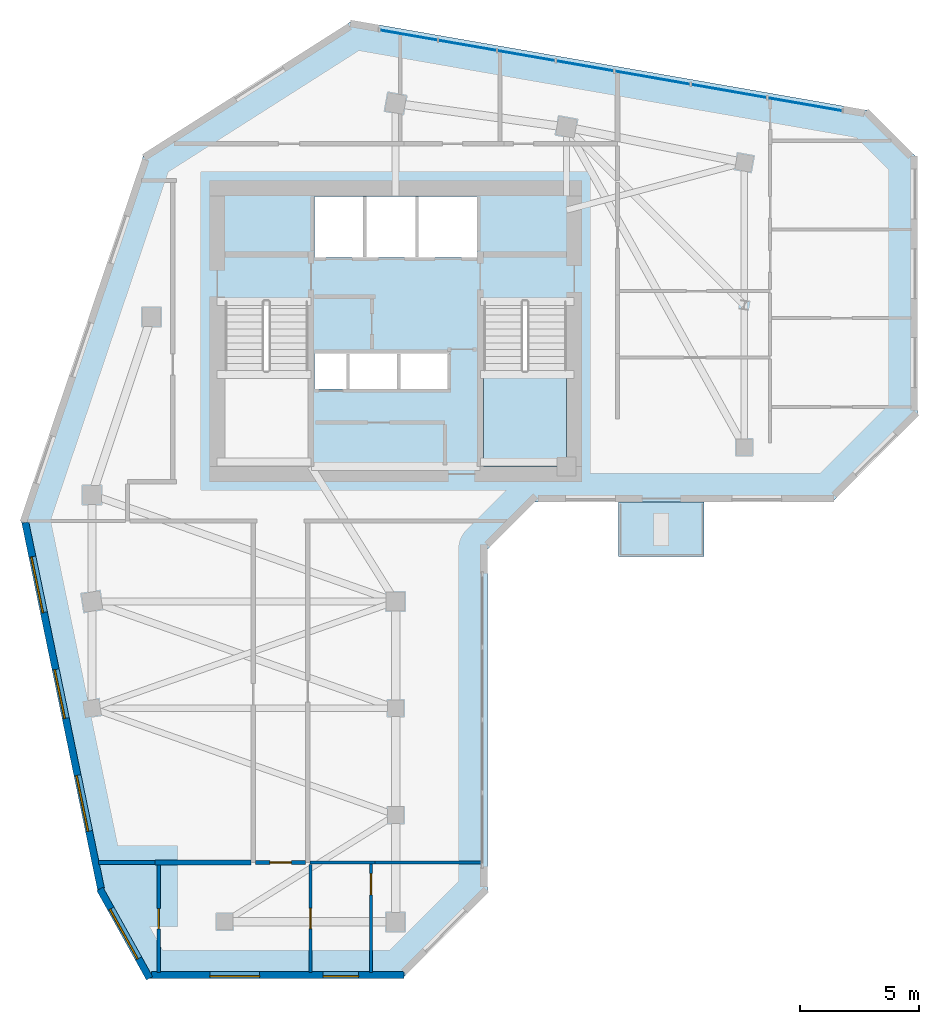
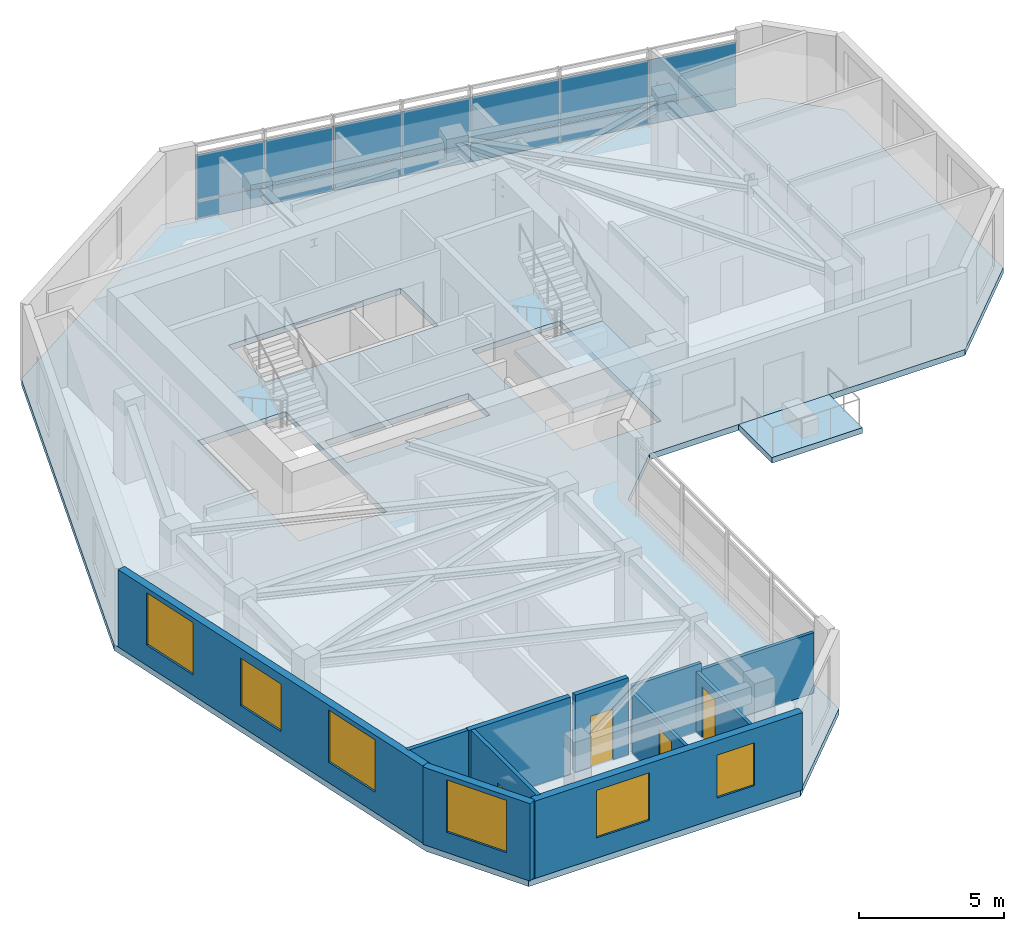
# One storey, part 3 of 9: 14 plates, 11 walls, 6 windows, 4 doors, 3 slabs, 10 openings, 2 elements without a shape of their own.
"""IFC4 building model written with IfcOpenShell, lengths in metres."""

from ifc_helpers import new_model, si_unit, direction, frame, frame_2d, origin, place, context, subcontext, project, spatial, polyline, rectangle, outline, extrude, source, transform, mapped, material, layer, layer_set, type_object, element, fill, aggregate, save


model = new_model("IFC4")

# Units and contexts
model_context = context("Model", 3, precision=1e-05, world=origin(), true_north=direction((0.0, 1.0)))
body_context = subcontext(model_context, "Body", "Model", "MODEL_VIEW")
ifc_project = project(units=[si_unit("LENGTHUNIT", "METRE"), si_unit("AREAUNIT", "SQUARE_METRE"), si_unit("VOLUMEUNIT", "CUBIC_METRE"), si_unit("PLANEANGLEUNIT", "RADIAN"), si_unit("MASSUNIT", "GRAM", prefix="KILO")], contexts=[model_context])

# Site, building, storey
site_placement = place(None, origin())
site = spatial("IfcSite", under=ifc_project, at=site_placement, CompositionType="ELEMENT")
building_placement = place(site_placement, origin())
building = spatial("IfcBuilding", under=site, at=building_placement, Name="Calvemar Wedge Station Tower", CompositionType="ELEMENT")
storey_placement = place(building_placement, frame((0.0, 0.0, 232.39990234375)))
storey = spatial("IfcBuildingStorey", under=building, at=storey_placement, Name="L59", CompositionType="ELEMENT", Elevation=232.39990234375)

# Curtain wall, plates
ifc_material_1 = material(Name="Anodised aluminium 6063-T6", Category="aluminium")
curtain_wall_type = type_object("IfcCurtainWallType", Name="CW3", PredefinedType="NOTDEFINED", material=ifc_material_1)
curtain_wall_placement = place(storey_placement, origin())
curtain_wall = element("IfcCurtainWall", 1, at=curtain_wall_placement, inside=storey, type_object=curtain_wall_type, Name="Storey L59 CW3 Recessed Unitised Curtain Wall 10", PredefinedType="NOTDEFINED")
ifc_material_2 = material(Name="Low-E laminated insulated glass", Category="glass")
ifc_layer_1 = layer(ifc_material_2, 0.028076171875)
ifc_layer_set_1 = layer_set([ifc_layer_1], Name="Low-E laminated insulated glass")
plate_type_1 = type_object("IfcPlateType", Name="CW3-GLZ", PredefinedType="CURTAIN_PANEL", material=ifc_layer_set_1)
plate_1_placement = place(storey_placement, frame((42.615966796875, 49.185791015625, 0.8701171875), z_axis=(0.0, 0.0, 1.0), x_axis=(-0.985087696251, 0.172052988044, 0.0)))
plate_1 = element("IfcPlate", 2, at=plate_1_placement, type_object=plate_type_1, Name="CW3 vision glass panel 1", PredefinedType="CURTAIN_PANEL", context=body_context, shape_type="SweptSolid", body=[
    extrude(rectangle(XDim=3.18408203125, YDim=0.028076171875, at=frame_2d((1.592041015625, 0.0))), origin(), (0.0, 0.0, 1.0), 1.909912109375),
])
plate_2_placement = place(storey_placement, frame((39.44384765625, 49.73974609375, 0.8701171875), z_axis=(0.0, 0.0, 1.0), x_axis=(-0.985090676874, 0.172035921644, 0.0)))
plate_2 = element("IfcPlate", 3, at=plate_2_placement, type_object=plate_type_1, Name="CW3 vision glass panel 2", PredefinedType="CURTAIN_PANEL", context=body_context, shape_type="SweptSolid", body=[
    extrude(rectangle(XDim=3.232666015625, YDim=0.028076171875, at=frame_2d((1.6162109375, 0.0))), origin(), (0.0, 0.0, 1.0), 1.909912109375),
])
plate_3_placement = place(storey_placement, frame((36.223876953125, 50.30224609375, 0.8701171875), z_axis=(0.0, 0.0, 1.0), x_axis=(-0.985090676874, 0.172035921644, 0.0)))
plate_3 = element("IfcPlate", 4, at=plate_3_placement, type_object=plate_type_1, Name="CW3 vision glass panel 3", PredefinedType="CURTAIN_PANEL", context=body_context, shape_type="SweptSolid", body=[
    extrude(rectangle(XDim=3.232666015625, YDim=0.028076171875, at=frame_2d((1.6162109375, 0.0))), origin(), (0.0, 0.0, 1.0), 1.909912109375),
])
plate_4_placement = place(storey_placement, frame((33.00390625, 50.86474609375, 0.8701171875), z_axis=(0.0, 0.0, 1.0), x_axis=(-0.98509358917, 0.172019244782, 0.0)))
plate_4 = element("IfcPlate", 5, at=plate_4_placement, type_object=plate_type_1, Name="CW3 vision glass panel 4", PredefinedType="CURTAIN_PANEL", context=body_context, shape_type="SweptSolid", body=[
    extrude(rectangle(XDim=2.4765625, YDim=0.028076171875, at=frame_2d((1.23828125, 0.0))), origin(), (0.0, 0.0, 1.0), 1.909912109375),
])
plate_5_placement = place(storey_placement, frame((30.52880859375, 51.297119140625, 0.8701171875), z_axis=(0.0, 0.0, 1.0), x_axis=(-0.985090671751, 0.172035950981, 0.0)))
plate_5 = element("IfcPlate", 6, at=plate_5_placement, type_object=plate_type_1, Name="CW3 vision glass panel 5", PredefinedType="CURTAIN_PANEL", context=body_context, shape_type="SweptSolid", body=[
    extrude(rectangle(XDim=2.476318359375, YDim=0.028076171875, at=frame_2d((1.23828125, 0.0))), origin(), (0.0, 0.0, 1.0), 1.909912109375),
])
plate_6_placement = place(storey_placement, frame((28.053955078125, 51.729248046875, 0.8701171875), z_axis=(0.0, 0.0, 1.0), x_axis=(-0.985075890094, 0.172120570404, 0.0)))
plate_6 = element("IfcPlate", 7, at=plate_6_placement, type_object=plate_type_1, Name="CW3 vision glass panel 6", PredefinedType="CURTAIN_PANEL", context=body_context, shape_type="SweptSolid", body=[
    extrude(rectangle(XDim=2.485107421875, YDim=0.028076171875, at=frame_2d((1.24267578125, 0.0))), origin(), (0.0, 0.0, 1.0), 1.909912109375),
])
plate_7_placement = place(storey_placement, frame((25.570556640625, 52.1630859375, 0.8701171875), z_axis=(0.0, 0.0, 1.0), x_axis=(-0.985078800149, 0.172103914825, 0.0)))
plate_7 = element("IfcPlate", 8, at=plate_7_placement, type_object=plate_type_1, Name="CW3 vision glass panel 7", PredefinedType="CURTAIN_PANEL", context=body_context, shape_type="SweptSolid", body=[
    extrude(rectangle(XDim=2.4853515625, YDim=0.028076171875, at=frame_2d((1.24267578125, 0.0))), origin(), (0.0, 0.0, 1.0), 1.909912109375),
])
ifc_material_3 = material(Name="Oxidized bronze aluminium spandrel panel 5005-H24", Category="aluminium")
ifc_layer_2 = layer(ifc_material_3, 0.0400390625)
ifc_layer_set_2 = layer_set([ifc_layer_2], Name="Oxidized bronze aluminium spandrel panel 5005-H24")
plate_type_2 = type_object("IfcPlateType", Name="CW3-SPD", PredefinedType="SHEET", material=ifc_layer_set_2)
plate_8_placement = place(storey_placement, frame((42.615966796875, 49.185791015625, 0.080078125), z_axis=(0.0, 0.0, 1.0), x_axis=(-0.985087696251, 0.172052988044, 0.0)))
plate_8 = element("IfcPlate", 9, at=plate_8_placement, type_object=plate_type_2, Name="CW3 bronze spandrel panel 1", PredefinedType="SHEET", context=body_context, shape_type="SweptSolid", body=[
    extrude(rectangle(XDim=3.18408203125, YDim=0.0400390625, at=frame_2d((1.592041015625, 0.0))), origin(), (0.0, 0.0, 1.0), 0.75),
])
plate_9_placement = place(storey_placement, frame((39.44384765625, 49.73974609375, 0.080078125), z_axis=(0.0, 0.0, 1.0), x_axis=(-0.985090676874, 0.172035921644, 0.0)))
plate_9 = element("IfcPlate", 10, at=plate_9_placement, type_object=plate_type_2, Name="CW3 bronze spandrel panel 2", PredefinedType="SHEET", context=body_context, shape_type="SweptSolid", body=[
    extrude(rectangle(XDim=3.232666015625, YDim=0.0400390625, at=frame_2d((1.6162109375, 0.0))), origin(), (0.0, 0.0, 1.0), 0.75),
])
plate_10_placement = place(storey_placement, frame((36.223876953125, 50.30224609375, 0.080078125), z_axis=(0.0, 0.0, 1.0), x_axis=(-0.985090676874, 0.172035921644, 0.0)))
plate_10 = element("IfcPlate", 11, at=plate_10_placement, type_object=plate_type_2, Name="CW3 bronze spandrel panel 3", PredefinedType="SHEET", context=body_context, shape_type="SweptSolid", body=[
    extrude(rectangle(XDim=3.232666015625, YDim=0.0400390625, at=frame_2d((1.6162109375, 0.0))), origin(), (0.0, 0.0, 1.0), 0.75),
])
plate_11_placement = place(storey_placement, frame((33.00390625, 50.86474609375, 0.080078125), z_axis=(0.0, 0.0, 1.0), x_axis=(-0.98509358917, 0.172019244782, 0.0)))
plate_11 = element("IfcPlate", 12, at=plate_11_placement, type_object=plate_type_2, Name="CW3 bronze spandrel panel 4", PredefinedType="SHEET", context=body_context, shape_type="SweptSolid", body=[
    extrude(rectangle(XDim=2.4765625, YDim=0.0400390625, at=frame_2d((1.23828125, 0.0))), origin(), (0.0, 0.0, 1.0), 0.75),
])
plate_12_placement = place(storey_placement, frame((30.52880859375, 51.297119140625, 0.080078125), z_axis=(0.0, 0.0, 1.0), x_axis=(-0.985090671751, 0.172035950981, 0.0)))
plate_12 = element("IfcPlate", 13, at=plate_12_placement, type_object=plate_type_2, Name="CW3 bronze spandrel panel 5", PredefinedType="SHEET", context=body_context, shape_type="SweptSolid", body=[
    extrude(rectangle(XDim=2.476318359375, YDim=0.0400390625, at=frame_2d((1.23828125, 0.0))), origin(), (0.0, 0.0, 1.0), 0.75),
])
plate_13_placement = place(storey_placement, frame((28.053955078125, 51.729248046875, 0.080078125), z_axis=(0.0, 0.0, 1.0), x_axis=(-0.985075890094, 0.172120570404, 0.0)))
plate_13 = element("IfcPlate", 14, at=plate_13_placement, type_object=plate_type_2, Name="CW3 bronze spandrel panel 6", PredefinedType="SHEET", context=body_context, shape_type="SweptSolid", body=[
    extrude(rectangle(XDim=2.485107421875, YDim=0.0400390625, at=frame_2d((1.24267578125, 0.0))), origin(), (0.0, 0.0, 1.0), 0.75),
])
plate_14_placement = place(storey_placement, frame((25.570556640625, 52.1630859375, 0.080078125), z_axis=(0.0, 0.0, 1.0), x_axis=(-0.985078800149, 0.172103914825, 0.0)))
plate_14 = element("IfcPlate", 15, at=plate_14_placement, type_object=plate_type_2, Name="CW3 bronze spandrel panel 7", PredefinedType="SHEET", context=body_context, shape_type="SweptSolid", body=[
    extrude(rectangle(XDim=2.4853515625, YDim=0.0400390625, at=frame_2d((1.24267578125, 0.0))), origin(), (0.0, 0.0, 1.0), 0.75),
])
aggregate(curtain_wall, [plate_8, plate_1, plate_9, plate_2, plate_10, plate_3, plate_11, plate_4, plate_12, plate_5, plate_13, plate_6, plate_14, plate_7])

# Stair, slab
ifc_material_4 = material(Name="Concrete C45", Category="concrete")
stair_type = type_object("IfcStairType", Name="ST-TYPE-3500", PredefinedType="HALF_TURN_STAIR", material=ifc_material_4)
stair_placement = place(storey_placement, origin())
stair = element("IfcStair", 16, at=stair_placement, inside=storey, type_object=stair_type, Name="L59 Pressurized Core Exit Stair ST-C2", PredefinedType="HALF_TURN_STAIR")
ifc_layer_3 = layer(ifc_material_4, 0.199951171875)
ifc_layer_set_3 = layer_set([ifc_layer_3], Name="Concrete C45")
slab_type_1 = type_object("IfcSlabType", Name="SL-STAIR-LND-200", PredefinedType="LANDING", material=ifc_layer_set_3)
slab_1_placement = place(storey_placement, frame((0.0, 0.0, 1.550048828125)))
slab_1 = element("IfcSlab", 17, at=slab_1_placement, type_object=slab_type_1, Name="ST-C2 landing 1", PredefinedType="LANDING", context=body_context, shape_type="SweptSolid", body=[
    extrude(outline(polyline([(27.5, 38.25), (27.5, 34.199951171875), (31.0, 34.199951171875), (31.0, 38.25), (27.5, 38.25)])), origin(), (0.0, 0.0, 1.0), 0.199951171875),
])
aggregate(stair, [slab_1])

# Slabs
ifc_layer_4 = layer(ifc_material_4, 0.239990234375)
ifc_layer_set_4 = layer_set([ifc_layer_4], Name="Concrete C45")
slab_type_2 = type_object("IfcSlabType", Name="SL-TERR-240", PredefinedType="FLOOR", material=ifc_layer_set_4)
slab_2_placement = place(storey_placement, frame((0.0, 0.0, -0.239990234375)))
element("IfcSlab", 18, at=slab_2_placement, inside=storey, type_object=slab_type_2, Name="Storey L59 Planted Spiral Terrace Slab", PredefinedType="FLOOR", context=body_context, shape_type="SweptSolid", body=[
    extrude(outline(polyline([(33.199951171875, 32.69189453125), (33.199951171875, 30.39208984375), (36.800048828125, 30.39208984375), (36.800048828125, 32.69189453125), (33.199951171875, 32.69189453125)])), origin(), (0.0, 0.0, 1.0), 0.239990234375),
])
ifc_material_5 = material(Name="Concrete C50", Category="concrete")
ifc_layer_5 = layer(ifc_material_5, 0.25)
ifc_layer_set_5 = layer_set([ifc_layer_5], Name="Concrete C50")
slab_type_3 = type_object("IfcSlabType", Name="SL-TYP-250", PredefinedType="FLOOR", material=ifc_layer_set_5)
slab_3_placement = place(storey_placement, frame((0.0, 0.0, -0.25)))
element("IfcSlab", 19, at=slab_3_placement, inside=storey, type_object=slab_type_3, Name="Storey L59 Structural Floor Slab", PredefinedType="FLOOR", context=body_context, shape_type="SweptSolid", body=[
    extrude(outline(polyline([(8.0, 32.0), (11.263916015625, 16.199951171875), (13.263916015625, 12.60009765625), (24.06396484375, 12.60009765625), (27.6640625, 16.199951171875), (27.6640625, 30.69189453125), (29.6640625, 32.69189453125), (42.199951171875, 32.69189453125), (45.800048828125, 36.2919921875), (45.800048828125, 47.19189453125), (43.800048828125, 49.19189453125), (22.0, 53.0), (13.199951171875, 47.39990234375), (8.0, 32.0)]), holes=[polyline([(20.10009765625, 34.199951171875), (20.10009765625, 41.14990234375), (16.60009765625, 41.14990234375), (16.60009765625, 34.199951171875), (20.10009765625, 34.199951171875)]), polyline([(27.5, 34.199951171875), (31.0, 34.199951171875), (31.0, 41.14990234375), (27.5, 41.14990234375), (27.5, 34.199951171875)]), polyline([(21.800048828125, 37.449951171875), (23.929931640625, 37.449951171875), (23.93994140625, 37.449951171875), (26.080078125, 37.449951171875), (26.080078125, 38.949951171875), (23.93994140625, 38.949951171875), (23.929931640625, 38.949951171875), (21.800048828125, 38.949951171875), (21.7900390625, 38.949951171875), (20.3798828125, 38.949951171875), (20.3798828125, 37.449951171875), (21.7900390625, 37.449951171875), (21.800048828125, 37.449951171875)]), polyline([(27.219970703125, 43.0), (27.219970703125, 45.580078125), (20.3798828125, 45.580078125), (20.3798828125, 43.0), (27.219970703125, 43.0)])]), origin(), (0.0, 0.0, 1.0), 0.25),
])

# Wall, opening, door
ifc_material_6 = material(Name="Double-stud fire-rated corridor partition")
ifc_layer_6 = layer(ifc_material_6, 0.179931640625)
ifc_layer_set_6 = layer_set([ifc_layer_6], Name="Double-stud fire-rated corridor partition")
wall_type_1 = type_object("IfcWallType", Name="W-CORR-180", PredefinedType="PARTITIONING", material=ifc_layer_set_6)
wall_1_placement = place(storey_placement, frame((20.006103515625, 17.5, 0.0), z_axis=(0.0, 0.0, 1.0), x_axis=(-1.0, 0.0, 0.0)))
wall_1 = element("IfcWall", 20, at=wall_1_placement, inside=storey, type_object=wall_type_1, Name="Storey L59 Interior Partition WL-L59-038", PredefinedType="PARTITIONING", context=body_context, shape_type="SweptSolid", body=[
    extrude(rectangle(XDim=2.112060546875, YDim=0.179931640625, at=frame_2d((1.05615234375, 0.0))), origin(), (0.0, 0.0, 1.0), 3.25),
])
shared_shape_1 = source(origin(), body_context, "Body", "SweptSolid", [
    extrude(rectangle(XDim=0.89990234375, YDim=2.14990234375, at=frame_2d((0.449951171875, 1.074951171875))), frame((0.0, 0.10009765625, 0.0), z_axis=(0.0, -1.0, 0.0), x_axis=(1.0, 0.0, 0.0)), (0.0, 0.0, 1.0), 0.199951171875),
])
opening_1_placement = place(wall_1_placement, frame((0.60595703125, 0.0, 0.0)))
opening_1 = element("IfcOpeningElement", 21, at=opening_1_placement, cuts=wall_1, Name="Opening FD-60", PredefinedType="OPENING", context=body_context, shape_type="MappedRepresentation", body=[
    mapped(shared_shape_1, transform((0.0, 0.0, 0.0), scale=1.0)),
])
ifc_material_7 = material(Name="Fire-rated acoustic timber-core entrance door EI 60", Category="wood")
door_type_1 = type_object("IfcDoorType", Name="DR-FD60-900", OperationType="NOTDEFINED", PredefinedType="DOOR", material=ifc_material_7)
shared_shape_2 = source(origin(), body_context, "Body", "SweptSolid", [
    extrude(rectangle(XDim=0.89990234375, YDim=2.14990234375, at=frame_2d((0.449951171875, 1.074951171875))), frame((0.0, 0.02490234375, 0.0), z_axis=(0.0, -1.0, 0.0), x_axis=(1.0, 0.0, 0.0)), (0.0, 0.0, 1.0), 0.050048828125),
])
door_1_placement = place(opening_1_placement, origin())
door_1 = element("IfcDoor", 22, at=door_1_placement, inside=storey, type_object=door_type_1, Name="L59 Living Dining Door", OperationType="SINGLE_SWING_LEFT", OverallHeight=2.14990234375, OverallWidth=0.89990234375, PredefinedType="DOOR", context=body_context, shape_type="MappedRepresentation", body=[
    mapped(shared_shape_2, transform((0.0, 0.0, 0.0), scale=1.0)),
])
fill(opening_1, door_1)

# Wall
ifc_material_8 = material(Name="Twin-stud fire-rated inter-tenancy wall")
ifc_layer_7 = layer(ifc_material_8, 0.199951171875)
ifc_layer_set_7 = layer_set([ifc_layer_7], Name="Twin-stud fire-rated inter-tenancy wall")
wall_type_2 = type_object("IfcWallType", Name="W-DEMISE-200", PredefinedType="PARTITIONING", material=ifc_layer_set_7)
wall_2_placement = place(storey_placement, frame((17.7060546875, 17.5, 0.0), z_axis=(0.0, 0.0, 1.0), x_axis=(-1.0, 0.0, 0.0)))
element("IfcWall", 23, at=wall_2_placement, inside=storey, type_object=wall_type_2, Name="Storey L59 Interior Partition WL-L59-039", PredefinedType="PARTITIONING", context=body_context, shape_type="SweptSolid", body=[
    extrude(rectangle(XDim=4.050048828125, YDim=0.199951171875, at=frame_2d((2.02490234375, 0.0))), origin(), (0.0, 0.0, 1.0), 3.25),
])

# Wall, opening, window
ifc_material_9 = material(Name="Precast concrete C45", Category="concrete")
ifc_layer_8 = layer(ifc_material_9, 0.300048828125)
ifc_layer_set_8 = layer_set([ifc_layer_8], Name="Precast concrete C45")
wall_type_3 = type_object("IfcWallType", Name="W-EXT-GFRC-300", PredefinedType="SOLIDWALL", material=ifc_layer_set_8)
wall_3_placement = place(storey_placement, frame((11.33349609375, 16.3837890625, 0.0), z_axis=(0.0, 0.0, 1.0), x_axis=(0.485633305139, -0.874162623852, 0.0)))
wall_3 = element("IfcWall", 24, at=wall_3_placement, inside=storey, type_object=wall_type_3, Name="Storey L59 Bronze GFRC Exterior Wall 1", PredefinedType="SOLIDWALL", context=body_context, shape_type="SweptSolid", body=[
    extrude(rectangle(XDim=4.306884765625, YDim=0.300048828125, at=frame_2d((2.1533203125, 0.0))), origin(), (0.0, 0.0, 1.0), 3.25),
])
shared_shape_3 = source(origin(), body_context, "Body", "SweptSolid", [
    extrude(rectangle(XDim=2.39990234375, YDim=2.199951171875, at=frame_2d((1.199951171875, 1.10009765625))), frame((0.0, 0.16015625, 0.0), z_axis=(0.0, -1.0, 0.0), x_axis=(1.0, 0.0, 0.0)), (0.0, 0.0, 1.0), 0.320068359375),
])
opening_2_placement = place(wall_3_placement, frame((0.9541015625, 0.0, 0.85009765625)))
opening_2 = element("IfcOpeningElement", 25, at=opening_2_placement, cuts=wall_3, Name="Opening W1", PredefinedType="OPENING", context=body_context, shape_type="MappedRepresentation", body=[
    mapped(shared_shape_3, transform((0.0, 0.0, 0.0), scale=1.0)),
])
window_type_1 = type_object("IfcWindowType", Name="WIN-EXT-1", PartitioningType="SINGLE_PANEL", PredefinedType="WINDOW", material=ifc_material_2)
shared_shape_4 = source(origin(), body_context, "Body", "SweptSolid", [
    extrude(rectangle(XDim=2.39990234375, YDim=2.199951171875, at=frame_2d((1.199951171875, 1.10009765625))), frame((0.0, -0.014892578125, 0.0), z_axis=(0.0, -1.0, 0.0), x_axis=(1.0, 0.0, 0.0)), (0.0, 0.0, 1.0), 0.06005859375),
])
window_1_placement = place(opening_2_placement, origin())
window_1 = element("IfcWindow", 26, at=window_1_placement, inside=storey, type_object=window_type_1, Name="Storey L59 Recessed Window 1.1", OverallHeight=2.199951171875, OverallWidth=2.39990234375, PartitioningType="SINGLE_PANEL", PredefinedType="WINDOW", context=body_context, shape_type="MappedRepresentation", body=[
    mapped(shared_shape_4, transform((0.0, 0.0, 0.0), scale=1.0)),
])
fill(opening_2, window_1)

# Wall, openings, windows
wall_4_placement = place(storey_placement, frame((13.510009765625, 12.75, 0.0), z_axis=(0.0, 0.0, 1.0), x_axis=(1.0, 0.0, 0.0)))
wall_4 = element("IfcWall", 27, at=wall_4_placement, inside=storey, type_object=wall_type_3, Name="Storey L59 Bronze GFRC Exterior Wall 2", PredefinedType="SOLIDWALL", context=body_context, shape_type="SweptSolid", body=[
    extrude(rectangle(XDim=10.641845703125, YDim=0.300048828125, at=frame_2d((5.32080078125, 0.0))), origin(), (0.0, 0.0, 1.0), 3.25),
])
shared_shape_5 = source(origin(), body_context, "Body", "SweptSolid", [
    extrude(rectangle(XDim=2.10009765625, YDim=2.0, at=frame_2d((1.050048828125, 1.0))), frame((0.0, 0.16015625, 0.0), z_axis=(0.0, -1.0, 0.0), x_axis=(1.0, 0.0, 0.0)), (0.0, 0.0, 1.0), 0.320068359375),
])
opening_3_placement = place(wall_4_placement, frame((2.455078125, 0.0, 0.85009765625)))
opening_3 = element("IfcOpeningElement", 28, at=opening_3_placement, cuts=wall_4, Name="Opening W4", PredefinedType="OPENING", context=body_context, shape_type="MappedRepresentation", body=[
    mapped(shared_shape_5, transform((0.0, 0.0, 0.0), scale=1.0)),
])
shared_shape_6 = source(origin(), body_context, "Body", "SweptSolid", [
    extrude(rectangle(XDim=1.5, YDim=1.800048828125, at=frame_2d((0.75, 0.89990234375))), frame((0.0, 0.16015625, 0.0), z_axis=(0.0, -1.0, 0.0), x_axis=(1.0, 0.0, 0.0)), (0.0, 0.0, 1.0), 0.320068359375),
])
opening_4_placement = place(wall_4_placement, frame((7.22998046875, 0.0, 0.85009765625)))
opening_4 = element("IfcOpeningElement", 29, at=opening_4_placement, cuts=wall_4, Name="Opening W3", PredefinedType="OPENING", context=body_context, shape_type="MappedRepresentation", body=[
    mapped(shared_shape_6, transform((0.0, 0.0, 0.0), scale=1.0)),
])
window_type_2 = type_object("IfcWindowType", Name="WIN-EXT-4", PartitioningType="SINGLE_PANEL", PredefinedType="WINDOW", material=ifc_material_2)
shared_shape_7 = source(origin(), body_context, "Body", "SweptSolid", [
    extrude(rectangle(XDim=2.10009765625, YDim=2.0, at=frame_2d((1.050048828125, 1.0))), frame((0.0, -0.014892578125, 0.0), z_axis=(0.0, -1.0, 0.0), x_axis=(1.0, 0.0, 0.0)), (0.0, 0.0, 1.0), 0.06005859375),
])
window_2_placement = place(opening_3_placement, origin())
window_2 = element("IfcWindow", 30, at=window_2_placement, inside=storey, type_object=window_type_2, Name="Storey L59 Recessed Window 2.1", OverallHeight=2.0, OverallWidth=2.10009765625, PartitioningType="SINGLE_PANEL", PredefinedType="WINDOW", context=body_context, shape_type="MappedRepresentation", body=[
    mapped(shared_shape_7, transform((0.0, 0.0, 0.0), scale=1.0)),
])
fill(opening_3, window_2)
window_type_3 = type_object("IfcWindowType", Name="WIN-EXT-3", PartitioningType="SINGLE_PANEL", PredefinedType="WINDOW", material=ifc_material_2)
shared_shape_8 = source(origin(), body_context, "Body", "SweptSolid", [
    extrude(rectangle(XDim=1.5, YDim=1.800048828125, at=frame_2d((0.75, 0.89990234375))), frame((0.0, -0.014892578125, 0.0), z_axis=(0.0, -1.0, 0.0), x_axis=(1.0, 0.0, 0.0)), (0.0, 0.0, 1.0), 0.06005859375),
])
window_3_placement = place(opening_4_placement, origin())
window_3 = element("IfcWindow", 31, at=window_3_placement, inside=storey, type_object=window_type_3, Name="Storey L59 Recessed Window 2.2", OverallHeight=1.800048828125, OverallWidth=1.5, PartitioningType="SINGLE_PANEL", PredefinedType="WINDOW", context=body_context, shape_type="MappedRepresentation", body=[
    mapped(shared_shape_8, transform((0.0, 0.0, 0.0), scale=1.0)),
])
fill(opening_4, window_3)

wall_5_placement = place(storey_placement, frame((8.1875, 31.833984375, 0.0), z_axis=(0.0, 0.0, 1.0), x_axis=(0.202303475707, -0.979322880217, 0.0)))
wall_5 = element("IfcWall", 32, at=wall_5_placement, inside=storey, type_object=wall_type_3, Name="Storey L59 Bronze GFRC Exterior Wall 13", PredefinedType="SOLIDWALL", context=body_context, shape_type="SweptSolid", body=[
    extrude(rectangle(XDim=15.765625, YDim=0.300048828125, at=frame_2d((7.8828125, 0.0))), origin(), (0.0, 0.0, 1.0), 3.25),
])
opening_5_placement = place(wall_5_placement, frame((1.472900390625, 0.0, 0.85009765625)))
opening_5 = element("IfcOpeningElement", 33, at=opening_5_placement, cuts=wall_5, Name="Opening W1", PredefinedType="OPENING", context=body_context, shape_type="MappedRepresentation", body=[
    mapped(shared_shape_3, transform((0.0, 0.0, 0.0), scale=1.0)),
])
opening_6_placement = place(wall_5_placement, frame((6.330078125, 0.0, 0.85009765625)))
opening_6 = element("IfcOpeningElement", 34, at=opening_6_placement, cuts=wall_5, Name="Opening W4", PredefinedType="OPENING", context=body_context, shape_type="MappedRepresentation", body=[
    mapped(shared_shape_5, transform((0.0, 0.0, 0.0), scale=1.0)),
])
opening_7_placement = place(wall_5_placement, frame((10.886962890625, 0.0, 0.85009765625)))
opening_7 = element("IfcOpeningElement", 35, at=opening_7_placement, cuts=wall_5, Name="Opening W1", PredefinedType="OPENING", context=body_context, shape_type="MappedRepresentation", body=[
    mapped(shared_shape_3, transform((0.0, 0.0, 0.0), scale=1.0)),
])
window_4_placement = place(opening_6_placement, origin())
window_4 = element("IfcWindow", 36, at=window_4_placement, inside=storey, type_object=window_type_2, Name="Storey L59 Recessed Window 13.2", OverallHeight=2.0, OverallWidth=2.10009765625, PartitioningType="SINGLE_PANEL", PredefinedType="WINDOW", context=body_context, shape_type="MappedRepresentation", body=[
    mapped(shared_shape_7, transform((0.0, 0.0, 0.0), scale=1.0)),
])
fill(opening_6, window_4)
window_5_placement = place(opening_5_placement, origin())
window_5 = element("IfcWindow", 37, at=window_5_placement, inside=storey, type_object=window_type_1, Name="Storey L59 Recessed Window 13.1", OverallHeight=2.199951171875, OverallWidth=2.39990234375, PartitioningType="SINGLE_PANEL", PredefinedType="WINDOW", context=body_context, shape_type="MappedRepresentation", body=[
    mapped(shared_shape_4, transform((0.0, 0.0, 0.0), scale=1.0)),
])
fill(opening_5, window_5)
window_6_placement = place(opening_7_placement, origin())
window_6 = element("IfcWindow", 38, at=window_6_placement, inside=storey, type_object=window_type_1, Name="Storey L59 Recessed Window 13.3", OverallHeight=2.199951171875, OverallWidth=2.39990234375, PartitioningType="SINGLE_PANEL", PredefinedType="WINDOW", context=body_context, shape_type="MappedRepresentation", body=[
    mapped(shared_shape_4, transform((0.0, 0.0, 0.0), scale=1.0)),
])
fill(opening_7, window_6)

# Walls
ifc_material_10 = material(Name="Insulated acoustic gypsum stud partition")
ifc_layer_9 = layer(ifc_material_10, 0.125)
ifc_layer_set_9 = layer_set([ifc_layer_9], Name="Insulated acoustic gypsum stud partition")
wall_type_4 = type_object("IfcWallType", Name="W-PART-125", PredefinedType="PARTITIONING", material=ifc_layer_set_9)
wall_6_placement = place(storey_placement, frame((22.925048828125, 17.5, 0.0), z_axis=(0.0, 0.0, 1.0), x_axis=(-1.0, 0.0, 0.0)))
element("IfcWall", 39, at=wall_6_placement, inside=storey, type_object=wall_type_4, Name="Storey L59 Interior Partition WL-L59-041", PredefinedType="PARTITIONING", context=body_context, shape_type="SweptSolid", body=[
    extrude(rectangle(XDim=2.73095703125, YDim=0.125, at=frame_2d((1.365478515625, 0.0))), origin(), (0.0, 0.0, 1.0), 2.822021484375),
])
wall_7_placement = place(storey_placement, frame((27.39892578125, 17.5, 0.0), z_axis=(0.0, 0.0, 1.0), x_axis=(-1.0, 0.0, 0.0)))
element("IfcWall", 40, at=wall_7_placement, inside=storey, type_object=wall_type_4, Name="Storey L59 Interior Partition WL-L59-042", PredefinedType="PARTITIONING", context=body_context, shape_type="SweptSolid", body=[
    extrude(rectangle(XDim=4.471923828125, YDim=0.125, at=frame_2d((2.23583984375, 0.0))), origin(), (0.0, 0.0, 1.0), 2.5419921875),
])

# Wall, opening, door
wall_8_placement = place(storey_placement, frame((20.215087890625, 17.406005859375, 0.0), z_axis=(0.0, 0.0, 1.0), x_axis=(0.0, -1.0, 0.0)))
wall_8 = element("IfcWall", 41, at=wall_8_placement, inside=storey, type_object=wall_type_4, Name="Storey L59 Interior Partition WL-L59-044", PredefinedType="PARTITIONING", context=body_context, shape_type="SweptSolid", body=[
    extrude(rectangle(XDim=4.541015625, YDim=0.125, at=frame_2d((2.2705078125, 0.0))), origin(), (0.0, 0.0, 1.0), 2.5419921875),
])
shared_shape_9 = source(origin(), body_context, "Body", "SweptSolid", [
    extrude(rectangle(XDim=0.85009765625, YDim=2.14990234375, at=frame_2d((0.425048828125, 1.074951171875))), frame((0.0, 0.072509765625, 0.0), z_axis=(0.0, -1.0, 0.0), x_axis=(1.0, 0.0, 0.0)), (0.0, 0.0, 1.0), 0.14501953125),
])
opening_8_placement = place(wall_8_placement, frame((1.845458984375, 0.0, 0.0)))
opening_8 = element("IfcOpeningElement", 42, at=opening_8_placement, cuts=wall_8, Name="Opening D-02", PredefinedType="OPENING", context=body_context, shape_type="MappedRepresentation", body=[
    mapped(shared_shape_9, transform((0.0, 0.0, 0.0), scale=1.0)),
])
ifc_material_11 = material(Name="Moisture-sealed bathroom hardwood swing door", Category="wood")
door_type_2 = type_object("IfcDoorType", Name="DR-WET-850", OperationType="NOTDEFINED", PredefinedType="DOOR", material=ifc_material_11)
shared_shape_10 = source(origin(), body_context, "Body", "SweptSolid", [
    extrude(rectangle(XDim=0.85009765625, YDim=2.14990234375, at=frame_2d((0.425048828125, 1.074951171875))), frame((0.0, 0.02490234375, 0.0), z_axis=(0.0, -1.0, 0.0), x_axis=(1.0, 0.0, 0.0)), (0.0, 0.0, 1.0), 0.050048828125),
])
door_2_placement = place(opening_8_placement, origin())
door_2 = element("IfcDoor", 43, at=door_2_placement, inside=storey, type_object=door_type_2, Name="L59 Kitchen Door", OperationType="SINGLE_SWING_LEFT", OverallHeight=2.14990234375, OverallWidth=0.85009765625, PredefinedType="DOOR", context=body_context, shape_type="MappedRepresentation", body=[
    mapped(shared_shape_10, transform((0.0, 0.0, 0.0), scale=1.0)),
])
fill(opening_8, door_2)

wall_9_placement = place(storey_placement, frame((22.764892578125, 17.43359375, 0.0), z_axis=(0.0, 0.0, 1.0), x_axis=(0.0, -1.0, 0.0)))
wall_9 = element("IfcWall", 44, at=wall_9_placement, inside=storey, type_object=wall_type_4, Name="Storey L59 Interior Partition WL-L59-045", PredefinedType="PARTITIONING", context=body_context, shape_type="SweptSolid", body=[
    extrude(rectangle(XDim=4.568603515625, YDim=0.125, at=frame_2d((2.2841796875, 0.0))), origin(), (0.0, 0.0, 1.0), 2.5419921875),
])
shared_shape_11 = source(origin(), body_context, "Body", "SweptSolid", [
    extrude(rectangle(XDim=0.89990234375, YDim=2.14990234375, at=frame_2d((0.449951171875, 1.074951171875))), frame((0.0, 0.072509765625, 0.0), z_axis=(0.0, -1.0, 0.0), x_axis=(1.0, 0.0, 0.0)), (0.0, 0.0, 1.0), 0.14501953125),
])
opening_9_placement = place(wall_9_placement, frame((0.404296875, 0.0, 0.0)))
opening_9 = element("IfcOpeningElement", 45, at=opening_9_placement, cuts=wall_9, Name="Opening D-01", PredefinedType="OPENING", context=body_context, shape_type="MappedRepresentation", body=[
    mapped(shared_shape_11, transform((0.0, 0.0, 0.0), scale=1.0)),
])
ifc_material_12 = material(Name="Architectural hardwood acoustic swing door", Category="wood")
door_type_3 = type_object("IfcDoorType", Name="DR-INT-900", OperationType="NOTDEFINED", PredefinedType="DOOR", material=ifc_material_12)
shared_shape_12 = source(origin(), body_context, "Body", "SweptSolid", [
    extrude(rectangle(XDim=0.89990234375, YDim=2.14990234375, at=frame_2d((0.449951171875, 1.074951171875))), frame((0.0, 0.02490234375, 0.0), z_axis=(0.0, -1.0, 0.0), x_axis=(1.0, 0.0, 0.0)), (0.0, 0.0, 1.0), 0.050048828125),
])
door_3_placement = place(opening_9_placement, origin())
door_3 = element("IfcDoor", 46, at=door_3_placement, inside=storey, type_object=door_type_3, Name="L59 Master Bedroom Door", OperationType="SINGLE_SWING_RIGHT", OverallHeight=2.14990234375, OverallWidth=0.89990234375, PredefinedType="DOOR", context=body_context, shape_type="MappedRepresentation", body=[
    mapped(shared_shape_12, transform((0.0, 0.0, 0.0), scale=1.0)),
])
fill(opening_9, door_3)

# Wall
ifc_material_13 = material(Name="Moisture-resistant acoustic bathroom partition")
ifc_layer_10 = layer(ifc_material_13, 0.14990234375)
ifc_layer_set_10 = layer_set([ifc_layer_10], Name="Moisture-resistant acoustic bathroom partition")
wall_type_5 = type_object("IfcWallType", Name="W-WET-150", PredefinedType="PARTITIONING", material=ifc_layer_set_10)
wall_10_placement = place(storey_placement, frame((13.654052734375, 17.5, 0.0), z_axis=(0.0, 0.0, 1.0), x_axis=(-1.0, 0.0, 0.0)))
element("IfcWall", 47, at=wall_10_placement, inside=storey, type_object=wall_type_5, Name="Storey L59 Interior Partition WL-L59-040", PredefinedType="PARTITIONING", context=body_context, shape_type="SweptSolid", body=[
    extrude(rectangle(XDim=2.387939453125, YDim=0.14990234375, at=frame_2d((1.19384765625, 0.0))), origin(), (0.0, 0.0, 1.0), 3.25),
])

# Wall, opening, door
wall_11_placement = place(storey_placement, frame((13.81591796875, 12.864990234375, 0.0), z_axis=(0.0, 0.0, 1.0), x_axis=(0.0, 1.0, 0.0)))
wall_11 = element("IfcWall", 48, at=wall_11_placement, inside=storey, type_object=wall_type_5, Name="Storey L59 Interior Partition WL-L59-043", PredefinedType="PARTITIONING", context=body_context, shape_type="SweptSolid", body=[
    extrude(rectangle(XDim=4.531005859375, YDim=0.14990234375, at=frame_2d((2.265625, 0.0))), origin(), (0.0, 0.0, 1.0), 3.25),
])
shared_shape_13 = source(origin(), body_context, "Body", "SweptSolid", [
    extrude(rectangle(XDim=0.85009765625, YDim=2.14990234375, at=frame_2d((0.425048828125, 1.074951171875))), frame((0.0, 0.0849609375, 0.0), z_axis=(0.0, -1.0, 0.0), x_axis=(1.0, 0.0, 0.0)), (0.0, 0.0, 1.0), 0.169921875),
])
opening_10_placement = place(wall_11_placement, frame((1.840576171875, 0.0, 0.0)))
opening_10 = element("IfcOpeningElement", 49, at=opening_10_placement, cuts=wall_11, Name="Opening D-02", PredefinedType="OPENING", context=body_context, shape_type="MappedRepresentation", body=[
    mapped(shared_shape_13, transform((0.0, 0.0, 0.0), scale=1.0)),
])
door_4_placement = place(opening_10_placement, origin())
door_4 = element("IfcDoor", 50, at=door_4_placement, inside=storey, type_object=door_type_2, Name="L59 Bathroom Door", OperationType="SINGLE_SWING_RIGHT", OverallHeight=2.14990234375, OverallWidth=0.85009765625, PredefinedType="DOOR", context=body_context, shape_type="MappedRepresentation", body=[
    mapped(shared_shape_10, transform((0.0, 0.0, 0.0), scale=1.0)),
])
fill(opening_10, door_4)

save(model, "model.ifc")
